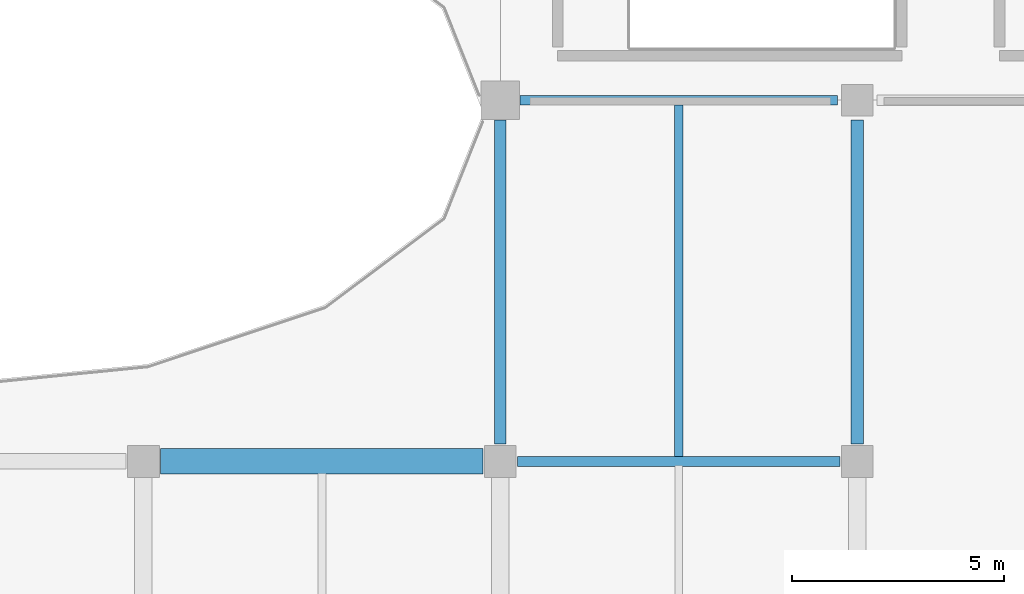
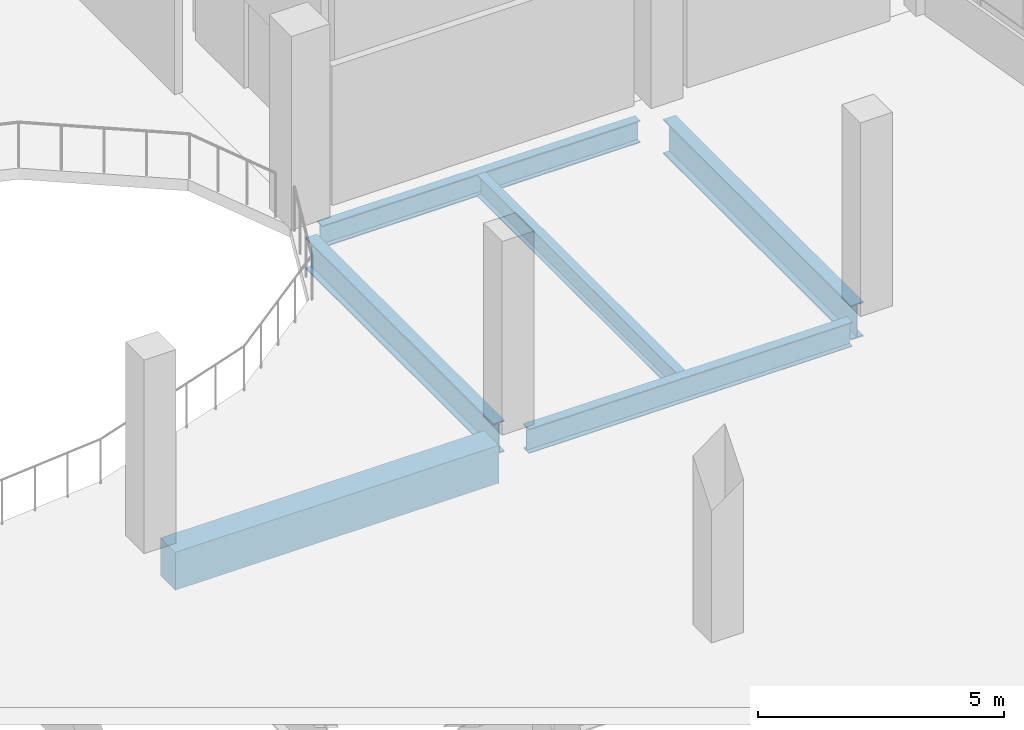
# One storey, part 25 of 117: 6 beams.
"""IFC4 building model written with IfcOpenShell, lengths in metres."""

from ifc_helpers import new_model, si_unit, direction, frame, origin, origin_2d, place, context, subcontext, project, spatial, rectangle, i_section, extrude, material, material_profile, profile_set, type_object, element, save


model = new_model("IFC4")

# Units and contexts
model_context = context("Model", 3, precision=1e-05, world=origin(), true_north=direction((0.0, 1.0)))
body_context = subcontext(model_context, "Body", "Model", "MODEL_VIEW")
ifc_project = project(units=[si_unit("LENGTHUNIT", "METRE"), si_unit("AREAUNIT", "SQUARE_METRE"), si_unit("VOLUMEUNIT", "CUBIC_METRE"), si_unit("PLANEANGLEUNIT", "RADIAN"), si_unit("MASSUNIT", "GRAM", prefix="KILO")], contexts=[model_context])

# Site, building, storey
site_placement = place(None, origin())
site = spatial("IfcSite", under=ifc_project, at=site_placement, CompositionType="ELEMENT")
building_placement = place(site_placement, origin())
building = spatial("IfcBuilding", under=site, at=building_placement, Name="Solvento Point Concert Hall", CompositionType="ELEMENT")
storey_placement = place(building_placement, frame((0.0, 0.0, 5.39990234375)))
storey = spatial("IfcBuildingStorey", under=building, at=storey_placement, Name="L01", CompositionType="ELEMENT", Elevation=5.39990234375)

# Beams
ifc_material_1 = material(Name="Structural Steel ASTM A992 Grade 50", Category="steel")
ifc_material_profile_1 = material_profile(ifc_material_1, i_section(OverallWidth=0.20947265625, OverallDepth=0.532958984375, WebThickness=0.01025390625, FlangeThickness=0.015625, at=origin_2d()), Name="W21X62")
ifc_profile_set_1 = profile_set([ifc_material_profile_1], Name="Structural Steel ASTM A992 Grade 50")
beam_type_1 = type_object("IfcBeamType", Name="Beam_W21X62", PredefinedType="BEAM", material=ifc_profile_set_1)
beam_1_placement = place(storey_placement, frame((78.60009765625, 34.09912109375, -0.6904296875), z_axis=(0.0, 1.0, 0.0), x_axis=(-1.0, 0.0, 0.0)))
element("IfcBeam", 1, at=beam_1_placement, inside=storey, type_object=beam_type_1, Name="Secondary floor joist B-25 L01", PredefinedType="BEAM", context=body_context, shape_type="SweptSolid", body=[
    extrude(i_section(OverallWidth=0.20947265625, OverallDepth=0.532958984375, WebThickness=0.01025390625, FlangeThickness=0.015625, at=origin_2d()), origin(), (0.0, 0.0, 1.0), 8.308837890625),
])
ifc_material_2 = material(Name="Structural Steel ASTM A992 Grade 50", Category="steel")
ifc_material_profile_2 = material_profile(ifc_material_2, i_section(OverallWidth=0.214111328125, OverallDepth=0.549072265625, WebThickness=0.0146484375, FlangeThickness=0.023681640625, at=origin_2d()), Name="W21X93")
ifc_profile_set_2 = profile_set([ifc_material_profile_2], Name="Structural Steel ASTM A992 Grade 50")
beam_type_2 = type_object("IfcBeamType", Name="Beam_W21X93", PredefinedType="BEAM", material=ifc_profile_set_2)
beam_2_placement = place(storey_placement, frame((74.868896484375, 42.5, -0.698486328125), z_axis=(1.0, 0.0, 0.0), x_axis=(0.0, 1.0, 0.0)))
element("IfcBeam", 2, at=beam_2_placement, inside=storey, type_object=beam_type_2, Name="Primary girder B-48 L01", PredefinedType="BEAM", context=body_context, shape_type="SweptSolid", body=[
    extrude(i_section(OverallWidth=0.214111328125, OverallDepth=0.549072265625, WebThickness=0.0146484375, FlangeThickness=0.023681640625, at=origin_2d()), origin(), (0.0, 0.0, 1.0), 7.462158203125),
])
ifc_material_3 = material(Name="Structural Steel ASTM A992 Grade 50", Category="steel")
ifc_material_profile_3 = material_profile(ifc_material_3, i_section(OverallWidth=0.228515625, OverallDepth=0.60791015625, WebThickness=0.01123046875, FlangeThickness=0.017333984375, at=origin_2d()), Name="W24X76")
ifc_profile_set_3 = profile_set([ifc_material_profile_3], Name="Structural Steel ASTM A992 Grade 50")
beam_type_3 = type_object("IfcBeamType", Name="Beam_W24X76", PredefinedType="BEAM", material=ifc_profile_set_3)
beam_3_placement = place(storey_placement, frame((74.803955078125, 34.0, -0.587890625), z_axis=(1.0, 0.0, 0.0), x_axis=(0.0, 1.0, 0.0)))
element("IfcBeam", 3, at=beam_3_placement, inside=storey, type_object=beam_type_3, Name="Primary girder B-42 L01", PredefinedType="BEAM", context=body_context, shape_type="SweptSolid", body=[
    extrude(i_section(OverallWidth=0.228515625, OverallDepth=0.60791015625, WebThickness=0.01123046875, FlangeThickness=0.017333984375, at=origin_2d()), origin(), (0.0, 0.0, 1.0), 7.592041015625),
])
ifc_material_4 = material(Name="Concrete C35/45", Category="concrete")
ifc_material_profile_4 = material_profile(ifc_material_4, rectangle(XDim=0.60009765625, YDim=0.93994140625, at=origin_2d()), Name="RC-BM-600X940")
ifc_profile_set_4 = profile_set([ifc_material_profile_4], Name="Concrete C35/45")
beam_type_4 = type_object("IfcBeamType", Name="Girder_RC_600x940", PredefinedType="USERDEFINED", material=ifc_profile_set_4)
beam_4_placement = place(storey_placement, frame((66.404052734375, 34.0, -0.75390625), z_axis=(1.0, 0.0, 0.0), x_axis=(0.0, 1.0, 0.0)))
element("IfcBeam", 4, at=beam_4_placement, inside=storey, type_object=beam_type_4, Name="Primary girder B-34 L01", ObjectType="GIRDER", PredefinedType="USERDEFINED", context=body_context, shape_type="SweptSolid", body=[
    extrude(rectangle(XDim=0.60009765625, YDim=0.93994140625, at=origin_2d()), origin(), (0.0, 0.0, 1.0), 7.592041015625),
])
ifc_material_5 = material(Name="Structural Steel ASTM A992 Grade 50", Category="steel")
ifc_material_profile_5 = material_profile(ifc_material_5, i_section(OverallWidth=0.26806640625, OverallDepth=0.77001953125, WebThickness=0.015625, FlangeThickness=0.025390625, at=origin_2d()), Name="W30X132")
ifc_profile_set_5 = profile_set([ifc_material_profile_5], Name="Structural Steel ASTM A992 Grade 50")
beam_type_5 = type_object("IfcBeamType", Name="Girder_W30X132", PredefinedType="USERDEFINED", material=ifc_profile_set_5)
beam_5_placement = place(storey_placement, frame((74.39990234375, 34.404052734375, -0.6689453125), z_axis=(0.0, 1.0, 0.0), x_axis=(-1.0, 0.0, 0.0)))
element("IfcBeam", 5, at=beam_5_placement, inside=storey, type_object=beam_type_5, Name="Primary girder B-68 L01", ObjectType="GIRDER", PredefinedType="USERDEFINED", context=body_context, shape_type="SweptSolid", body=[
    extrude(i_section(OverallWidth=0.26806640625, OverallDepth=0.77001953125, WebThickness=0.015625, FlangeThickness=0.025390625, at=origin_2d()), origin(), (0.0, 0.0, 1.0), 7.626953125),
])
ifc_material_6 = material(Name="Structural Steel ASTM A992 Grade 50", Category="steel")
ifc_material_profile_6 = material_profile(ifc_material_6, i_section(OverallWidth=0.2919921875, OverallDepth=0.85888671875, WebThickness=0.01708984375, FlangeThickness=0.031005859375, at=origin_2d()), Name="W33X169")
ifc_profile_set_6 = profile_set([ifc_material_profile_6], Name="Structural Steel ASTM A992 Grade 50")
beam_type_6 = type_object("IfcBeamType", Name="Girder_W33X169", PredefinedType="USERDEFINED", material=ifc_profile_set_6)
beam_6_placement = place(storey_placement, frame((82.800048828125, 34.404052734375, -0.71337890625), z_axis=(0.0, 1.0, 0.0), x_axis=(-1.0, 0.0, 0.0)))
element("IfcBeam", 6, at=beam_6_placement, inside=storey, type_object=beam_type_6, Name="Primary girder B-33 L01", ObjectType="GIRDER", PredefinedType="USERDEFINED", context=body_context, shape_type="SweptSolid", body=[
    extrude(i_section(OverallWidth=0.2919921875, OverallDepth=0.85888671875, WebThickness=0.01708984375, FlangeThickness=0.031005859375, at=origin_2d()), origin(), (0.0, 0.0, 1.0), 7.626953125),
])

save(model, "model.ifc")
